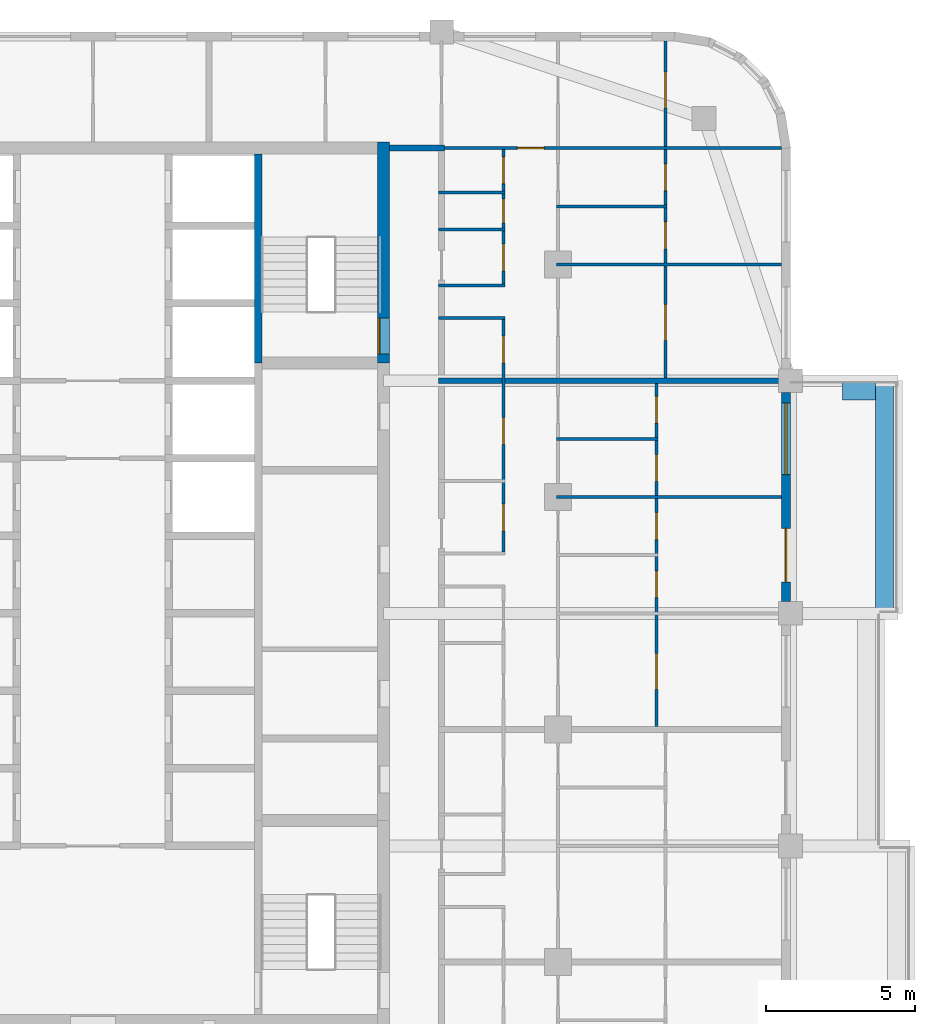
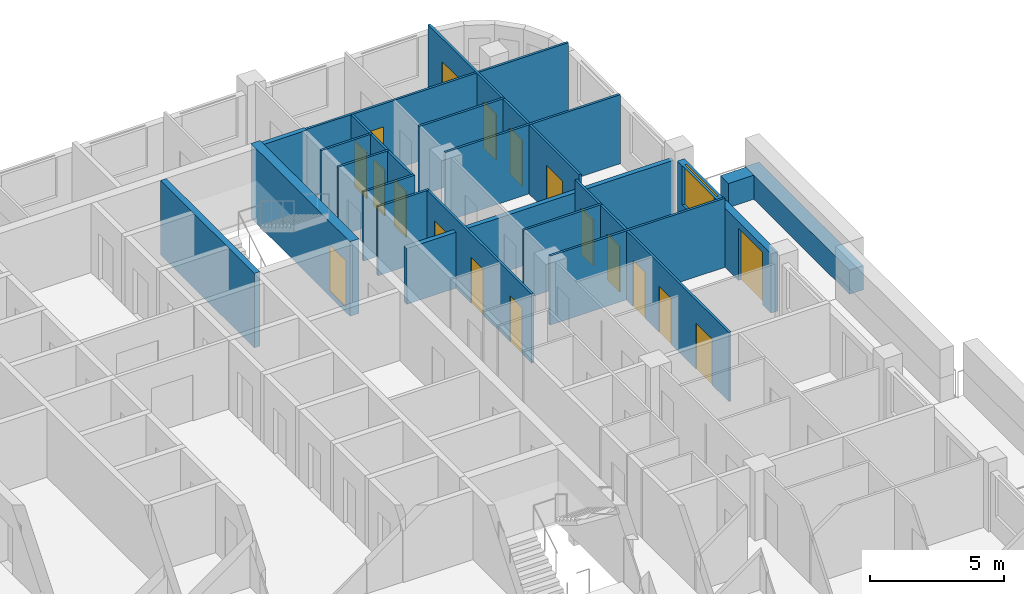
# One storey, part 11 of 16: 20 walls, 18 doors, 1 window, 19 openings.
"""IFC4 building model written with IfcOpenShell, lengths in metres."""

from ifc_helpers import new_model, si_unit, direction, frame, frame_2d, origin, place, context, subcontext, project, spatial, rectangle, extrude, material, layer, layer_set, type_object, element, fill, save


model = new_model("IFC4")

# Units and contexts
model_context = context("Model", 3, precision=1e-05, world=origin(), true_north=direction((0.0, 1.0)))
body_context = subcontext(model_context, "Body", "Model", "MODEL_VIEW")
ifc_project = project(units=[si_unit("LENGTHUNIT", "METRE"), si_unit("AREAUNIT", "SQUARE_METRE"), si_unit("VOLUMEUNIT", "CUBIC_METRE"), si_unit("PLANEANGLEUNIT", "RADIAN"), si_unit("MASSUNIT", "GRAM", prefix="KILO")], contexts=[model_context])

# Site, building, storey
site_placement = place(None, origin())
site = spatial("IfcSite", under=ifc_project, at=site_placement, CompositionType="ELEMENT")
building_placement = place(site_placement, origin())
building = spatial("IfcBuilding", under=site, at=building_placement, Name="Ludao Terraces", CompositionType="ELEMENT")
storey_placement = place(building_placement, frame((0.0, 0.0, 217.699951171875)))
storey = spatial("IfcBuildingStorey", under=building, at=storey_placement, Name="L59", CompositionType="ELEMENT", Elevation=217.699951171875)

# Wall, opening, door
ifc_material_1 = material(Name="Concrete C50", Category="concrete")
ifc_layer_1 = layer(ifc_material_1, 0.39990234375)
ifc_layer_set_1 = layer_set([ifc_layer_1], Name="Core wall 400 C50")
wall_type_1 = type_object("IfcWallType", Name="Core wall 400 C50", PredefinedType="SOLIDWALL", material=ifc_layer_set_1)
wall_1_placement = place(storey_placement, frame((94.75, 77.300048828125, -0.25), z_axis=(0.0, 0.0, 1.0), x_axis=(0.0, 1.0, 0.0)))
wall_1 = element("IfcWall", 1, at=wall_1_placement, inside=storey, type_object=wall_type_1, Name="Core wall L59 outer-E-S2", PredefinedType="SOLIDWALL", context=body_context, shape_type="SweptSolid", body=[
    extrude(rectangle(XDim=7.39990234375, YDim=0.39990234375, at=frame_2d((3.699951171875, 0.0))), origin(), (0.0, 0.0, 1.0), 3.400146484375),
])
opening_1_placement = place(wall_1_placement, frame((0.300048828125, 0.0, 0.25)))
opening_1 = element("IfcOpeningElement", 2, at=opening_1_placement, cuts=wall_1, Name="Opening R21-111", PredefinedType="OPENING", context=body_context, shape_type="SweptSolid", body=[
    extrude(rectangle(XDim=1.199951171875, YDim=2.10009765625, at=frame_2d((0.60009765625, 1.050048828125))), frame((0.0, 0.2099609375, 0.0), z_axis=(0.0, -1.0, 0.0), x_axis=(1.0, 0.0, 0.0)), (0.0, 0.0, 1.0), 0.419921875),
])
ifc_material_2 = material(Name="Steel Q235", Category="steel")
door_type_1 = type_object("IfcDoorType", Name="INT Stair door 1200", OperationType="DOUBLE_DOOR_SINGLE_SWING", PredefinedType="DOOR", material=ifc_material_2)
door_1_placement = place(opening_1_placement, origin())
door_1 = element("IfcDoor", 3, at=door_1_placement, inside=storey, type_object=door_type_1, Name="DOOR 111", OperationType="DOUBLE_DOOR_SINGLE_SWING", OverallHeight=2.10009765625, OverallWidth=1.199951171875, PredefinedType="DOOR", context=body_context, shape_type="SweptSolid", body=[
    extrude(rectangle(XDim=1.199951171875, YDim=2.10009765625, at=frame_2d((0.60009765625, 1.050048828125))), frame((0.0, 0.18505859375, 0.0), z_axis=(0.0, -1.0, 0.0), x_axis=(1.0, 0.0, 0.0)), (0.0, 0.0, 1.0), 0.050048828125),
])
fill(opening_1, door_1)

# Walls
ifc_material_3 = material(Name="Concrete C40", Category="concrete")
ifc_layer_2 = layer(ifc_material_3, 0.60009765625)
ifc_layer_set_2 = layer_set([ifc_layer_2], Name="ENV Planter trough 600")
wall_type_2 = type_object("IfcWallType", Name="ENV Planter trough 600", PredefinedType="USERDEFINED", material=ifc_layer_set_2)
wall_2_placement = place(storey_placement, frame((111.550048828125, 68.89990234375, 0.0), z_axis=(0.0, 0.0, 1.0), x_axis=(0.0, 1.0, 0.0)))
element("IfcWall", 4, at=wall_2_placement, inside=storey, type_object=wall_type_2, Name="PL-L59-E3", ObjectType="PLANTER", PredefinedType="USERDEFINED", context=body_context, shape_type="SweptSolid", body=[
    extrude(rectangle(XDim=7.800048828125, YDim=0.60009765625, at=frame_2d((3.89990234375, 0.0))), origin(), (0.0, 0.0, 1.0), 1.10009765625),
])
wall_3_placement = place(storey_placement, frame((111.25, 76.35009765625, 0.0), z_axis=(0.0, 0.0, 1.0), x_axis=(-1.0, 0.0, 0.0)))
element("IfcWall", 5, at=wall_3_placement, inside=storey, type_object=wall_type_2, Name="PL-L59-E3-SB", ObjectType="PLANTER", PredefinedType="USERDEFINED", context=body_context, shape_type="SweptSolid", body=[
    extrude(rectangle(XDim=1.10009765625, YDim=0.60009765625, at=frame_2d((0.550048828125, 0.0))), origin(), (0.0, 0.0, 1.0), 1.10009765625),
])

# Wall, openings, door, window
ifc_material_4 = material(Name="Granite cladding", Category="masonry")
ifc_layer_3 = layer(ifc_material_4, 0.0400390625, Category="stone")
ifc_material_5 = material(Name="Mineral wool")
ifc_layer_4 = layer(ifc_material_5, 0.06005859375)
ifc_layer_5 = layer(ifc_material_3, 0.199951171875, Category="concrete")
ifc_layer_set_3 = layer_set([ifc_layer_3, ifc_layer_4, ifc_layer_5], Name="ENV Stone-clad wall 300")
wall_type_3 = type_object("IfcWallType", Name="ENV Stone-clad wall 300", PredefinedType="SOLIDWALL", material=ifc_layer_set_3)
wall_4_placement = place(storey_placement, frame((108.25, 69.300048828125, 0.0), z_axis=(0.0, 0.0, 1.0), x_axis=(0.0, 1.0, 0.0)))
wall_4 = element("IfcWall", 6, at=wall_4_placement, inside=storey, type_object=wall_type_3, Name="EW-L59-E4", PredefinedType="SOLIDWALL", context=body_context, shape_type="SweptSolid", body=[
    extrude(rectangle(XDim=7.0, YDim=0.300048828125, at=frame_2d((3.5, 0.0))), origin(), (0.0, 0.0, 1.0), 2.699951171875),
])
opening_2_placement = place(wall_4_placement, frame((0.64990234375, 0.0, 0.0)))
opening_2 = element("IfcOpeningElement", 7, at=opening_2_placement, cuts=wall_4, Name="Opening BD", PredefinedType="OPENING", context=body_context, shape_type="SweptSolid", body=[
    extrude(rectangle(XDim=1.800048828125, YDim=2.39990234375, at=frame_2d((0.89990234375, 1.199951171875))), frame((0.0, 0.16015625, 0.0), z_axis=(0.0, -1.0, 0.0), x_axis=(1.0, 0.0, 0.0)), (0.0, 0.0, 1.0), 0.320068359375),
])
opening_3_placement = place(wall_4_placement, frame((4.25, 0.0, 0.89990234375)))
opening_3 = element("IfcOpeningElement", 8, at=opening_3_placement, cuts=wall_4, Name="Opening W1", PredefinedType="OPENING", context=body_context, shape_type="SweptSolid", body=[
    extrude(rectangle(XDim=2.39990234375, YDim=1.800048828125, at=frame_2d((1.199951171875, 0.89990234375))), frame((0.0, 0.16015625, 0.0), z_axis=(0.0, -1.0, 0.0), x_axis=(1.0, 0.0, 0.0)), (0.0, 0.0, 1.0), 0.320068359375),
])
ifc_material_6 = material(Name="Aluminium glazed door", Category="aluminium")
ifc_layer_6 = layer(ifc_material_6, 0.06005859375)
ifc_layer_set_4 = layer_set([ifc_layer_6], Name="ENV Balcony door BD 1800x2400")
door_type_2 = type_object("IfcDoorType", Name="ENV Balcony door BD 1800x2400", OperationType="DOUBLE_DOOR_SINGLE_SWING", PredefinedType="DOOR", material=ifc_layer_set_4)
door_2_placement = place(opening_2_placement, origin())
door_2 = element("IfcDoor", 9, at=door_2_placement, inside=storey, type_object=door_type_2, Name="BD-L59-E4-1", OperationType="DOUBLE_DOOR_SINGLE_SWING", OverallHeight=2.39990234375, OverallWidth=1.800048828125, PredefinedType="DOOR", context=body_context, shape_type="SweptSolid", body=[
    extrude(rectangle(XDim=1.800048828125, YDim=2.39990234375, at=frame_2d((0.89990234375, 1.199951171875))), frame((0.0, 0.02490234375, 0.0), z_axis=(0.0, -1.0, 0.0), x_axis=(1.0, 0.0, 0.0)), (0.0, 0.0, 1.0), 0.050048828125),
])
fill(opening_2, door_2)
ifc_material_7 = material(Name="Clear glass in aluminium frame", Category="aluminium")
ifc_layer_7 = layer(ifc_material_7, 0.06005859375)
ifc_layer_set_5 = layer_set([ifc_layer_7], Name="ENV Window W1 2400x1800")
window_type = type_object("IfcWindowType", Name="ENV Window W1 2400x1800", PartitioningType="DOUBLE_PANEL_VERTICAL", PredefinedType="WINDOW", material=ifc_layer_set_5)
window_placement = place(opening_3_placement, origin())
window = element("IfcWindow", 10, at=window_placement, inside=storey, type_object=window_type, Name="W-L59-E4-2", OverallHeight=1.800048828125, OverallWidth=2.39990234375, PartitioningType="DOUBLE_PANEL_VERTICAL", PredefinedType="WINDOW", context=body_context, shape_type="SweptSolid", body=[
    extrude(rectangle(XDim=2.39990234375, YDim=1.800048828125, at=frame_2d((1.199951171875, 0.89990234375))), frame((0.0, 0.030029296875, 0.0), z_axis=(0.0, -1.0, 0.0), x_axis=(1.0, 0.0, 0.0)), (0.0, 0.0, 1.0), 0.06005859375),
])
fill(opening_3, window)

# Walls
ifc_material_8 = material(Name="Autoclaved aerated concrete block B06 A3.5", Category="concrete")
ifc_layer_8 = layer(ifc_material_8, 0.199951171875)
ifc_layer_set_6 = layer_set([ifc_layer_8], Name="INT Entrance wall 200")
wall_type_4 = type_object("IfcWallType", Name="INT Entrance wall 200", PredefinedType="PARTITIONING", material=ifc_layer_set_6)
wall_5_placement = place(storey_placement, frame((94.9501953125, 84.5, 0.0), z_axis=(0.0, 0.0, 1.0), x_axis=(1.0, 0.0, 0.0)))
element("IfcWall", 11, at=wall_5_placement, inside=storey, type_object=wall_type_4, Name="PW-L59-PW068", PredefinedType="PARTITIONING", context=body_context, shape_type="SweptSolid", body=[
    extrude(rectangle(XDim=1.849853515625, YDim=0.199951171875, at=frame_2d((0.9248046875, 0.0))), origin(), (0.0, 0.0, 1.0), 3.150146484375),
])
ifc_material_9 = material(Name="Gypsum plasterboard", Category="gypsum")
ifc_layer_9 = layer(ifc_material_9, 0.012451171875, Category="gypsum")
ifc_layer_10 = layer(ifc_material_5, 0.06005859375, Name="insulation")
ifc_layer_11 = layer(ifc_material_2, 0.014892578125, Name="stud")
ifc_layer_12 = layer(ifc_material_9, 0.012451171875, Category="gypsum")
ifc_layer_set_7 = layer_set([ifc_layer_9, ifc_layer_10, ifc_layer_11, ifc_layer_12], Name="INT Partition 100")
wall_type_5 = type_object("IfcWallType", Name="INT Partition 100", PredefinedType="PARTITIONING", material=ifc_layer_set_7)
wall_6_placement = place(storey_placement, frame((100.550048828125, 72.800048828125, 0.0), z_axis=(0.0, 0.0, 1.0), x_axis=(1.0, 0.0, 0.0)))
element("IfcWall", 12, at=wall_6_placement, inside=storey, type_object=wall_type_5, Name="PW-L59-PW046", PredefinedType="PARTITIONING", context=body_context, shape_type="SweptSolid", body=[
    extrude(rectangle(XDim=7.550048828125, YDim=0.10009765625, at=frame_2d((3.77490234375, 0.0))), origin(), (0.0, 0.0, 1.0), 3.150146484375),
])
wall_7_placement = place(storey_placement, frame((100.550048828125, 74.75, 0.0), z_axis=(0.0, 0.0, 1.0), x_axis=(1.0, 0.0, 0.0)))
element("IfcWall", 13, at=wall_7_placement, inside=storey, type_object=wall_type_5, Name="PW-L59-PW050", PredefinedType="PARTITIONING", context=body_context, shape_type="SweptSolid", body=[
    extrude(rectangle(XDim=3.400146484375, YDim=0.10009765625, at=frame_2d((1.7001953125, 0.0))), origin(), (0.0, 0.0, 1.0), 3.150146484375),
])
for number, where, z_axis, x_axis, name in (
    (14, (96.60009765625, 78.800048828125, 0.0), (0.0, 0.0, 1.0), (1.0, 0.0, 0.0), "PW-L59-PW057"),
    (15, (96.60009765625, 79.89990234375, 0.0), (0.0, 0.0, 1.0), (1.0, 0.0, 0.0), "PW-L59-PW058"),
):
    element("IfcWall", number, at=place(storey_placement, frame(where, z_axis=z_axis, x_axis=x_axis)), inside=storey, type_object=wall_type_5, Name=name, PredefinedType="PARTITIONING", context=body_context, shape_type="SweptSolid", body=[
        extrude(rectangle(XDim=2.219970703125, YDim=0.10009765625, at=frame_2d((1.10986328125, 0.0))), origin(), (0.0, 0.0, 1.0), 3.150146484375),
    ])
wall_8_placement = place(storey_placement, frame((100.550048828125, 80.60009765625, 0.0), z_axis=(0.0, 0.0, 1.0), x_axis=(1.0, 0.0, 0.0)))
element("IfcWall", 16, at=wall_8_placement, inside=storey, type_object=wall_type_5, Name="PW-L59-PW060", PredefinedType="PARTITIONING", context=body_context, shape_type="SweptSolid", body=[
    extrude(rectangle(XDim=7.550048828125, YDim=0.10009765625, at=frame_2d((3.77490234375, 0.0))), origin(), (0.0, 0.0, 1.0), 3.150146484375),
])
wall_9_placement = place(storey_placement, frame((96.60009765625, 81.77001953125, 0.0), z_axis=(0.0, 0.0, 1.0), x_axis=(1.0, 0.0, 0.0)))
element("IfcWall", 17, at=wall_9_placement, inside=storey, type_object=wall_type_5, Name="PW-L59-PW061", PredefinedType="PARTITIONING", context=body_context, shape_type="SweptSolid", body=[
    extrude(rectangle(XDim=2.219970703125, YDim=0.10009765625, at=frame_2d((1.10986328125, 0.0))), origin(), (0.0, 0.0, 1.0), 3.150146484375),
])
wall_10_placement = place(storey_placement, frame((100.550048828125, 82.550048828125, 0.0), z_axis=(0.0, 0.0, 1.0), x_axis=(1.0, 0.0, 0.0)))
element("IfcWall", 18, at=wall_10_placement, inside=storey, type_object=wall_type_5, Name="PW-L59-PW064", PredefinedType="PARTITIONING", context=body_context, shape_type="SweptSolid", body=[
    extrude(rectangle(XDim=3.699951171875, YDim=0.10009765625, at=frame_2d((1.85009765625, 0.0))), origin(), (0.0, 0.0, 1.0), 3.150146484375),
])
wall_11_placement = place(storey_placement, frame((96.60009765625, 83.02001953125, 0.0), z_axis=(0.0, 0.0, 1.0), x_axis=(1.0, 0.0, 0.0)))
element("IfcWall", 19, at=wall_11_placement, inside=storey, type_object=wall_type_5, Name="PW-L59-PW065", PredefinedType="PARTITIONING", context=body_context, shape_type="SweptSolid", body=[
    extrude(rectangle(XDim=2.219970703125, YDim=0.10009765625, at=frame_2d((1.10986328125, 0.0))), origin(), (0.0, 0.0, 1.0), 3.150146484375),
])

# Wall, opening, door
wall_12_placement = place(storey_placement, frame((96.60009765625, 84.5, 0.0), z_axis=(0.0, 0.0, 1.0), x_axis=(1.0, 0.0, 0.0)))
wall_12 = element("IfcWall", 20, at=wall_12_placement, inside=storey, type_object=wall_type_5, Name="PW-L59-PW069", PredefinedType="PARTITIONING", context=body_context, shape_type="SweptSolid", body=[
    extrude(rectangle(XDim=11.5, YDim=0.10009765625, at=frame_2d((5.75, 0.0))), origin(), (0.0, 0.0, 1.0), 3.150146484375),
])
opening_4_placement = place(wall_12_placement, frame((2.635009765625, 0.0, 0.0)))
opening_4 = element("IfcOpeningElement", 21, at=opening_4_placement, cuts=wall_12, Name="Opening R21-134", PredefinedType="OPENING", context=body_context, shape_type="SweptSolid", body=[
    extrude(rectangle(XDim=0.89990234375, YDim=2.10009765625, at=frame_2d((0.449951171875, 1.050048828125))), frame((0.0, 0.06005859375, 0.0), z_axis=(0.0, -1.0, 0.0), x_axis=(1.0, 0.0, 0.0)), (0.0, 0.0, 1.0), 0.1201171875),
])
ifc_material_10 = material(Name="Timber door leaf", Category="wood")
door_type_3 = type_object("IfcDoorType", Name="INT Room door 900", OperationType="SINGLE_SWING_LEFT", PredefinedType="DOOR", material=ifc_material_10)
door_3_placement = place(opening_4_placement, origin())
door_3 = element("IfcDoor", 22, at=door_3_placement, inside=storey, type_object=door_type_3, Name="DOOR 134", OperationType="SINGLE_SWING_RIGHT", OverallHeight=2.10009765625, OverallWidth=0.89990234375, PredefinedType="DOOR", context=body_context, shape_type="SweptSolid", body=[
    extrude(rectangle(XDim=0.89990234375, YDim=2.10009765625, at=frame_2d((0.449951171875, 1.050048828125))), frame((0.0, 0.02490234375, 0.0), z_axis=(0.0, -1.0, 0.0), x_axis=(1.0, 0.0, 0.0)), (0.0, 0.0, 1.0), 0.050048828125),
])
fill(opening_4, door_3)

# Wall, openings, doors
wall_13_placement = place(storey_placement, frame((98.77001953125, 70.9501953125, 0.0), z_axis=(0.0, 0.0, 1.0), x_axis=(0.0, 1.0, 0.0)))
wall_13 = element("IfcWall", 23, at=wall_13_placement, inside=storey, type_object=wall_type_5, Name="PW-L59-PW095", PredefinedType="PARTITIONING", context=body_context, shape_type="SweptSolid", body=[
    extrude(rectangle(XDim=7.7998046875, YDim=0.10009765625, at=frame_2d((3.89990234375, 0.0))), origin(), (0.0, 0.0, 1.0), 3.150146484375),
])
opening_5_placement = place(wall_13_placement, frame((0.71484375, 0.0, 0.0)))
opening_5 = element("IfcOpeningElement", 24, at=opening_5_placement, cuts=wall_13, Name="Opening R21-089", PredefinedType="OPENING", context=body_context, shape_type="SweptSolid", body=[
    extrude(rectangle(XDim=0.89990234375, YDim=2.10009765625, at=frame_2d((0.449951171875, 1.050048828125))), frame((0.0, 0.06005859375, 0.0), z_axis=(0.0, -1.0, 0.0), x_axis=(1.0, 0.0, 0.0)), (0.0, 0.0, 1.0), 0.1201171875),
])
opening_6_placement = place(wall_13_placement, frame((3.614990234375, 0.0, 0.0)))
opening_6 = element("IfcOpeningElement", 25, at=opening_6_placement, cuts=wall_13, Name="Opening R21-096", PredefinedType="OPENING", context=body_context, shape_type="SweptSolid", body=[
    extrude(rectangle(XDim=0.89990234375, YDim=2.10009765625, at=frame_2d((0.449951171875, 1.050048828125))), frame((0.0, 0.06005859375, 0.0), z_axis=(0.0, -1.0, 0.0), x_axis=(1.0, 0.0, 0.0)), (0.0, 0.0, 1.0), 0.1201171875),
])
opening_7_placement = place(wall_13_placement, frame((6.349853515625, 0.0, 0.0)))
opening_7 = element("IfcOpeningElement", 26, at=opening_7_placement, cuts=wall_13, Name="Opening R21-107", PredefinedType="OPENING", context=body_context, shape_type="SweptSolid", body=[
    extrude(rectangle(XDim=0.89990234375, YDim=2.10009765625, at=frame_2d((0.449951171875, 1.050048828125))), frame((0.0, 0.06005859375, 0.0), z_axis=(0.0, -1.0, 0.0), x_axis=(1.0, 0.0, 0.0)), (0.0, 0.0, 1.0), 0.1201171875),
])
door_type_4 = type_object("IfcDoorType", Name="INT Bathroom door 900", OperationType="SINGLE_SWING_LEFT", PredefinedType="DOOR", material=ifc_material_10)
door_4_placement = place(opening_5_placement, origin())
door_4 = element("IfcDoor", 27, at=door_4_placement, inside=storey, type_object=door_type_4, Name="DOOR 089", OperationType="SINGLE_SWING_LEFT", OverallHeight=2.10009765625, OverallWidth=0.89990234375, PredefinedType="DOOR", context=body_context, shape_type="SweptSolid", body=[
    extrude(rectangle(XDim=0.89990234375, YDim=2.10009765625, at=frame_2d((0.449951171875, 1.050048828125))), frame((0.0, 0.02490234375, 0.0), z_axis=(0.0, -1.0, 0.0), x_axis=(1.0, 0.0, 0.0)), (0.0, 0.0, 1.0), 0.050048828125),
])
fill(opening_5, door_4)
door_5_placement = place(opening_7_placement, origin())
door_5 = element("IfcDoor", 28, at=door_5_placement, inside=storey, type_object=door_type_4, Name="DOOR 107", OperationType="SINGLE_SWING_LEFT", OverallHeight=2.10009765625, OverallWidth=0.89990234375, PredefinedType="DOOR", context=body_context, shape_type="SweptSolid", body=[
    extrude(rectangle(XDim=0.89990234375, YDim=2.10009765625, at=frame_2d((0.449951171875, 1.050048828125))), frame((0.0, 0.02490234375, 0.0), z_axis=(0.0, -1.0, 0.0), x_axis=(1.0, 0.0, 0.0)), (0.0, 0.0, 1.0), 0.050048828125),
])
fill(opening_7, door_5)
door_6_placement = place(opening_6_placement, origin())
door_6 = element("IfcDoor", 29, at=door_6_placement, inside=storey, type_object=door_type_3, Name="DOOR 096", OperationType="SINGLE_SWING_RIGHT", OverallHeight=2.10009765625, OverallWidth=0.89990234375, PredefinedType="DOOR", context=body_context, shape_type="SweptSolid", body=[
    extrude(rectangle(XDim=0.89990234375, YDim=2.10009765625, at=frame_2d((0.449951171875, 1.050048828125))), frame((0.0, 0.02490234375, 0.0), z_axis=(0.0, -1.0, 0.0), x_axis=(1.0, 0.0, 0.0)), (0.0, 0.0, 1.0), 0.050048828125),
])
fill(opening_6, door_6)

wall_14_placement = place(storey_placement, frame((98.77001953125, 79.9501953125, 0.0), z_axis=(0.0, 0.0, 1.0), x_axis=(0.0, 1.0, 0.0)))
wall_14 = element("IfcWall", 30, at=wall_14_placement, inside=storey, type_object=wall_type_5, Name="PW-L59-PW096", PredefinedType="PARTITIONING", context=body_context, shape_type="SweptSolid", body=[
    extrude(rectangle(XDim=4.5, YDim=0.10009765625, at=frame_2d((2.25, 0.0))), origin(), (0.0, 0.0, 1.0), 3.150146484375),
])
opening_8_placement = place(wall_14_placement, frame((0.434814453125, 0.0, 0.0)))
opening_8 = element("IfcOpeningElement", 31, at=opening_8_placement, cuts=wall_14, Name="Opening R21-121", PredefinedType="OPENING", context=body_context, shape_type="SweptSolid", body=[
    extrude(rectangle(XDim=0.89990234375, YDim=2.10009765625, at=frame_2d((0.449951171875, 1.050048828125))), frame((0.0, 0.06005859375, 0.0), z_axis=(0.0, -1.0, 0.0), x_axis=(1.0, 0.0, 0.0)), (0.0, 0.0, 1.0), 0.1201171875),
])
opening_9_placement = place(wall_14_placement, frame((2.044921875, 0.0, 0.0)))
opening_9 = element("IfcOpeningElement", 32, at=opening_9_placement, cuts=wall_14, Name="Opening R21-124", PredefinedType="OPENING", context=body_context, shape_type="SweptSolid", body=[
    extrude(rectangle(XDim=0.800048828125, YDim=2.10009765625, at=frame_2d((0.39990234375, 1.050048828125))), frame((0.0, 0.06005859375, 0.0), z_axis=(0.0, -1.0, 0.0), x_axis=(1.0, 0.0, 0.0)), (0.0, 0.0, 1.0), 0.1201171875),
])
opening_10_placement = place(wall_14_placement, frame((3.35986328125, 0.0, 0.0)))
opening_10 = element("IfcOpeningElement", 33, at=opening_10_placement, cuts=wall_14, Name="Opening R21-132", PredefinedType="OPENING", context=body_context, shape_type="SweptSolid", body=[
    extrude(rectangle(XDim=0.89990234375, YDim=2.10009765625, at=frame_2d((0.449951171875, 1.050048828125))), frame((0.0, 0.06005859375, 0.0), z_axis=(0.0, -1.0, 0.0), x_axis=(1.0, 0.0, 0.0)), (0.0, 0.0, 1.0), 0.1201171875),
])
door_7_placement = place(opening_10_placement, origin())
door_7 = element("IfcDoor", 34, at=door_7_placement, inside=storey, type_object=door_type_4, Name="DOOR 132", OperationType="SINGLE_SWING_LEFT", OverallHeight=2.10009765625, OverallWidth=0.89990234375, PredefinedType="DOOR", context=body_context, shape_type="SweptSolid", body=[
    extrude(rectangle(XDim=0.89990234375, YDim=2.10009765625, at=frame_2d((0.449951171875, 1.050048828125))), frame((0.0, 0.02490234375, 0.0), z_axis=(0.0, -1.0, 0.0), x_axis=(1.0, 0.0, 0.0)), (0.0, 0.0, 1.0), 0.050048828125),
])
fill(opening_10, door_7)
door_8_placement = place(opening_8_placement, origin())
door_8 = element("IfcDoor", 35, at=door_8_placement, inside=storey, type_object=door_type_3, Name="DOOR 121", OperationType="SINGLE_SWING_LEFT", OverallHeight=2.10009765625, OverallWidth=0.89990234375, PredefinedType="DOOR", context=body_context, shape_type="SweptSolid", body=[
    extrude(rectangle(XDim=0.89990234375, YDim=2.10009765625, at=frame_2d((0.449951171875, 1.050048828125))), frame((0.0, 0.02490234375, 0.0), z_axis=(0.0, -1.0, 0.0), x_axis=(1.0, 0.0, 0.0)), (0.0, 0.0, 1.0), 0.050048828125),
])
fill(opening_8, door_8)
door_type_5 = type_object("IfcDoorType", Name="INT Store door 800", OperationType="SINGLE_SWING_LEFT", PredefinedType="DOOR", material=ifc_material_10)
door_9_placement = place(opening_9_placement, origin())
door_9 = element("IfcDoor", 36, at=door_9_placement, inside=storey, type_object=door_type_5, Name="DOOR 124", OperationType="SINGLE_SWING_LEFT", OverallHeight=2.10009765625, OverallWidth=0.800048828125, PredefinedType="DOOR", context=body_context, shape_type="SweptSolid", body=[
    extrude(rectangle(XDim=0.800048828125, YDim=2.10009765625, at=frame_2d((0.39990234375, 1.050048828125))), frame((0.0, 0.02490234375, 0.0), z_axis=(0.0, -1.0, 0.0), x_axis=(1.0, 0.0, 0.0)), (0.0, 0.0, 1.0), 0.050048828125),
])
fill(opening_9, door_9)

wall_15_placement = place(storey_placement, frame((103.89990234375, 65.10009765625, 0.0), z_axis=(0.0, 0.0, 1.0), x_axis=(0.0, 1.0, 0.0)))
wall_15 = element("IfcWall", 37, at=wall_15_placement, inside=storey, type_object=wall_type_5, Name="PW-L59-PW098", PredefinedType="PARTITIONING", context=body_context, shape_type="SweptSolid", body=[
    extrude(rectangle(XDim=11.5, YDim=0.10009765625, at=frame_2d((5.75, 0.0))), origin(), (0.0, 0.0, 1.0), 3.150146484375),
])
opening_11_placement = place(wall_15_placement, frame((1.25, 0.0, 0.0)))
opening_11 = element("IfcOpeningElement", 38, at=opening_11_placement, cuts=wall_15, Name="Opening R21-071", PredefinedType="OPENING", context=body_context, shape_type="SweptSolid", body=[
    extrude(rectangle(XDim=1.199951171875, YDim=2.10009765625, at=frame_2d((0.60009765625, 1.050048828125))), frame((0.0, 0.06005859375, 0.0), z_axis=(0.0, -1.0, 0.0), x_axis=(1.0, 0.0, 0.0)), (0.0, 0.0, 1.0), 0.1201171875),
])
opening_12_placement = place(wall_15_placement, frame((4.324951171875, 0.0, 0.0)))
opening_12 = element("IfcOpeningElement", 39, at=opening_12_placement, cuts=wall_15, Name="Opening R21-079", PredefinedType="OPENING", context=body_context, shape_type="SweptSolid", body=[
    extrude(rectangle(XDim=0.89990234375, YDim=2.10009765625, at=frame_2d((0.449951171875, 1.050048828125))), frame((0.0, 0.06005859375, 0.0), z_axis=(0.0, -1.0, 0.0), x_axis=(1.0, 0.0, 0.0)), (0.0, 0.0, 1.0), 0.1201171875),
])
opening_13_placement = place(wall_15_placement, frame((6.27490234375, 0.0, 0.0)))
opening_13 = element("IfcOpeningElement", 40, at=opening_13_placement, cuts=wall_15, Name="Opening R21-088", PredefinedType="OPENING", context=body_context, shape_type="SweptSolid", body=[
    extrude(rectangle(XDim=0.89990234375, YDim=2.10009765625, at=frame_2d((0.449951171875, 1.050048828125))), frame((0.0, 0.06005859375, 0.0), z_axis=(0.0, -1.0, 0.0), x_axis=(1.0, 0.0, 0.0)), (0.0, 0.0, 1.0), 0.1201171875),
])
opening_14_placement = place(wall_15_placement, frame((8.22509765625, 0.0, 0.0)))
opening_14 = element("IfcOpeningElement", 41, at=opening_14_placement, cuts=wall_15, Name="Opening R21-093", PredefinedType="OPENING", context=body_context, shape_type="SweptSolid", body=[
    extrude(rectangle(XDim=0.89990234375, YDim=2.10009765625, at=frame_2d((0.449951171875, 1.050048828125))), frame((0.0, 0.06005859375, 0.0), z_axis=(0.0, -1.0, 0.0), x_axis=(1.0, 0.0, 0.0)), (0.0, 0.0, 1.0), 0.1201171875),
])
opening_15_placement = place(wall_15_placement, frame((10.175048828125, 0.0, 0.0)))
opening_15 = element("IfcOpeningElement", 42, at=opening_15_placement, cuts=wall_15, Name="Opening R21-104", PredefinedType="OPENING", context=body_context, shape_type="SweptSolid", body=[
    extrude(rectangle(XDim=0.89990234375, YDim=2.10009765625, at=frame_2d((0.449951171875, 1.050048828125))), frame((0.0, 0.06005859375, 0.0), z_axis=(0.0, -1.0, 0.0), x_axis=(1.0, 0.0, 0.0)), (0.0, 0.0, 1.0), 0.1201171875),
])
door_10_placement = place(opening_12_placement, origin())
door_10 = element("IfcDoor", 43, at=door_10_placement, inside=storey, type_object=door_type_4, Name="DOOR 079", OperationType="SINGLE_SWING_LEFT", OverallHeight=2.10009765625, OverallWidth=0.89990234375, PredefinedType="DOOR", context=body_context, shape_type="SweptSolid", body=[
    extrude(rectangle(XDim=0.89990234375, YDim=2.10009765625, at=frame_2d((0.449951171875, 1.050048828125))), frame((0.0, 0.02490234375, 0.0), z_axis=(0.0, -1.0, 0.0), x_axis=(1.0, 0.0, 0.0)), (0.0, 0.0, 1.0), 0.050048828125),
])
fill(opening_12, door_10)
door_11_placement = place(opening_14_placement, origin())
door_11 = element("IfcDoor", 44, at=door_11_placement, inside=storey, type_object=door_type_4, Name="DOOR 093", OperationType="SINGLE_SWING_LEFT", OverallHeight=2.10009765625, OverallWidth=0.89990234375, PredefinedType="DOOR", context=body_context, shape_type="SweptSolid", body=[
    extrude(rectangle(XDim=0.89990234375, YDim=2.10009765625, at=frame_2d((0.449951171875, 1.050048828125))), frame((0.0, 0.02490234375, 0.0), z_axis=(0.0, -1.0, 0.0), x_axis=(1.0, 0.0, 0.0)), (0.0, 0.0, 1.0), 0.050048828125),
])
fill(opening_14, door_11)
door_type_6 = type_object("IfcDoorType", Name="INT Double door 1200", OperationType="DOUBLE_DOOR_SINGLE_SWING", PredefinedType="DOOR", material=ifc_material_10)
door_12_placement = place(opening_11_placement, origin())
door_12 = element("IfcDoor", 45, at=door_12_placement, inside=storey, type_object=door_type_6, Name="DOOR 071", OperationType="DOUBLE_DOOR_SINGLE_SWING", OverallHeight=2.10009765625, OverallWidth=1.199951171875, PredefinedType="DOOR", context=body_context, shape_type="SweptSolid", body=[
    extrude(rectangle(XDim=1.199951171875, YDim=2.10009765625, at=frame_2d((0.60009765625, 1.050048828125))), frame((0.0, 0.02490234375, 0.0), z_axis=(0.0, -1.0, 0.0), x_axis=(1.0, 0.0, 0.0)), (0.0, 0.0, 1.0), 0.050048828125),
])
fill(opening_11, door_12)
door_13_placement = place(opening_13_placement, origin())
door_13 = element("IfcDoor", 46, at=door_13_placement, inside=storey, type_object=door_type_3, Name="DOOR 088", OperationType="SINGLE_SWING_RIGHT", OverallHeight=2.10009765625, OverallWidth=0.89990234375, PredefinedType="DOOR", context=body_context, shape_type="SweptSolid", body=[
    extrude(rectangle(XDim=0.89990234375, YDim=2.10009765625, at=frame_2d((0.449951171875, 1.050048828125))), frame((0.0, 0.02490234375, 0.0), z_axis=(0.0, -1.0, 0.0), x_axis=(1.0, 0.0, 0.0)), (0.0, 0.0, 1.0), 0.050048828125),
])
fill(opening_13, door_13)
door_14_placement = place(opening_15_placement, origin())
door_14 = element("IfcDoor", 47, at=door_14_placement, inside=storey, type_object=door_type_3, Name="DOOR 104", OperationType="SINGLE_SWING_RIGHT", OverallHeight=2.10009765625, OverallWidth=0.89990234375, PredefinedType="DOOR", context=body_context, shape_type="SweptSolid", body=[
    extrude(rectangle(XDim=0.89990234375, YDim=2.10009765625, at=frame_2d((0.449951171875, 1.050048828125))), frame((0.0, 0.02490234375, 0.0), z_axis=(0.0, -1.0, 0.0), x_axis=(1.0, 0.0, 0.0)), (0.0, 0.0, 1.0), 0.050048828125),
])
fill(opening_15, door_14)

wall_16_placement = place(storey_placement, frame((104.199951171875, 76.800048828125, 0.0), z_axis=(0.0, 0.0, 1.0), x_axis=(0.0, 1.0, 0.0)))
wall_16 = element("IfcWall", 48, at=wall_16_placement, inside=storey, type_object=wall_type_5, Name="PW-L59-PW100", PredefinedType="PARTITIONING", context=body_context, shape_type="SweptSolid", body=[
    extrude(rectangle(XDim=11.300048828125, YDim=0.10009765625, at=frame_2d((5.64990234375, 0.0))), origin(), (0.0, 0.0, 1.0), 3.150146484375),
])
opening_16_placement = place(wall_16_placement, frame((1.25, 0.0, 0.0)))
opening_16 = element("IfcOpeningElement", 49, at=opening_16_placement, cuts=wall_16, Name="Opening R21-115", PredefinedType="OPENING", context=body_context, shape_type="SweptSolid", body=[
    extrude(rectangle(XDim=1.199951171875, YDim=2.10009765625, at=frame_2d((0.60009765625, 1.050048828125))), frame((0.0, 0.06005859375, 0.0), z_axis=(0.0, -1.0, 0.0), x_axis=(1.0, 0.0, 0.0)), (0.0, 0.0, 1.0), 0.1201171875),
])
opening_17_placement = place(wall_16_placement, frame((4.324951171875, 0.0, 0.0)))
opening_17 = element("IfcOpeningElement", 50, at=opening_17_placement, cuts=wall_16, Name="Opening R21-123", PredefinedType="OPENING", context=body_context, shape_type="SweptSolid", body=[
    extrude(rectangle(XDim=0.89990234375, YDim=2.10009765625, at=frame_2d((0.449951171875, 1.050048828125))), frame((0.0, 0.06005859375, 0.0), z_axis=(0.0, -1.0, 0.0), x_axis=(1.0, 0.0, 0.0)), (0.0, 0.0, 1.0), 0.1201171875),
])
opening_18_placement = place(wall_16_placement, frame((6.27490234375, 0.0, 0.0)))
opening_18 = element("IfcOpeningElement", 51, at=opening_18_placement, cuts=wall_16, Name="Opening R21-131", PredefinedType="OPENING", context=body_context, shape_type="SweptSolid", body=[
    extrude(rectangle(XDim=0.89990234375, YDim=2.10009765625, at=frame_2d((0.449951171875, 1.050048828125))), frame((0.0, 0.06005859375, 0.0), z_axis=(0.0, -1.0, 0.0), x_axis=(1.0, 0.0, 0.0)), (0.0, 0.0, 1.0), 0.1201171875),
])
opening_19_placement = place(wall_16_placement, frame((9.050048828125, 0.0, 0.0)))
opening_19 = element("IfcOpeningElement", 52, at=opening_19_placement, cuts=wall_16, Name="Opening R21-144", PredefinedType="OPENING", context=body_context, shape_type="SweptSolid", body=[
    extrude(rectangle(XDim=1.199951171875, YDim=2.10009765625, at=frame_2d((0.60009765625, 1.050048828125))), frame((0.0, 0.06005859375, 0.0), z_axis=(0.0, -1.0, 0.0), x_axis=(1.0, 0.0, 0.0)), (0.0, 0.0, 1.0), 0.1201171875),
])
door_15_placement = place(opening_17_placement, origin())
door_15 = element("IfcDoor", 53, at=door_15_placement, inside=storey, type_object=door_type_4, Name="DOOR 123", OperationType="SINGLE_SWING_LEFT", OverallHeight=2.10009765625, OverallWidth=0.89990234375, PredefinedType="DOOR", context=body_context, shape_type="SweptSolid", body=[
    extrude(rectangle(XDim=0.89990234375, YDim=2.10009765625, at=frame_2d((0.449951171875, 1.050048828125))), frame((0.0, 0.02490234375, 0.0), z_axis=(0.0, -1.0, 0.0), x_axis=(1.0, 0.0, 0.0)), (0.0, 0.0, 1.0), 0.050048828125),
])
fill(opening_17, door_15)
door_16_placement = place(opening_16_placement, origin())
door_16 = element("IfcDoor", 54, at=door_16_placement, inside=storey, type_object=door_type_6, Name="DOOR 115", OperationType="DOUBLE_DOOR_SINGLE_SWING", OverallHeight=2.10009765625, OverallWidth=1.199951171875, PredefinedType="DOOR", context=body_context, shape_type="SweptSolid", body=[
    extrude(rectangle(XDim=1.199951171875, YDim=2.10009765625, at=frame_2d((0.60009765625, 1.050048828125))), frame((0.0, 0.02490234375, 0.0), z_axis=(0.0, -1.0, 0.0), x_axis=(1.0, 0.0, 0.0)), (0.0, 0.0, 1.0), 0.050048828125),
])
fill(opening_16, door_16)
door_17_placement = place(opening_19_placement, origin())
door_17 = element("IfcDoor", 55, at=door_17_placement, inside=storey, type_object=door_type_6, Name="DOOR 144", OperationType="DOUBLE_DOOR_SINGLE_SWING", OverallHeight=2.10009765625, OverallWidth=1.199951171875, PredefinedType="DOOR", context=body_context, shape_type="SweptSolid", body=[
    extrude(rectangle(XDim=1.199951171875, YDim=2.10009765625, at=frame_2d((0.60009765625, 1.050048828125))), frame((0.0, 0.02490234375, 0.0), z_axis=(0.0, -1.0, 0.0), x_axis=(1.0, 0.0, 0.0)), (0.0, 0.0, 1.0), 0.050048828125),
])
fill(opening_19, door_17)
door_18_placement = place(opening_18_placement, origin())
door_18 = element("IfcDoor", 56, at=door_18_placement, inside=storey, type_object=door_type_3, Name="DOOR 131", OperationType="SINGLE_SWING_LEFT", OverallHeight=2.10009765625, OverallWidth=0.89990234375, PredefinedType="DOOR", context=body_context, shape_type="SweptSolid", body=[
    extrude(rectangle(XDim=0.89990234375, YDim=2.10009765625, at=frame_2d((0.449951171875, 1.050048828125))), frame((0.0, 0.02490234375, 0.0), z_axis=(0.0, -1.0, 0.0), x_axis=(1.0, 0.0, 0.0)), (0.0, 0.0, 1.0), 0.050048828125),
])
fill(opening_18, door_18)

# Walls
ifc_layer_13 = layer(ifc_material_8, 0.199951171875)
ifc_layer_set_8 = layer_set([ifc_layer_13], Name="INT Party wall 200")
wall_type_6 = type_object("IfcWallType", Name="INT Party wall 200", PredefinedType="PARTITIONING", material=ifc_layer_set_8)
wall_17_placement = place(storey_placement, frame((96.60009765625, 76.699951171875, 0.0), z_axis=(0.0, 0.0, 1.0), x_axis=(1.0, 0.0, 0.0)))
element("IfcWall", 57, at=wall_17_placement, inside=storey, type_object=wall_type_6, Name="PW-L59-PW054", PredefinedType="PARTITIONING", context=body_context, shape_type="SweptSolid", body=[
    extrude(rectangle(XDim=11.5, YDim=0.199951171875, at=frame_2d((5.75, 0.0))), origin(), (0.0, 0.0, 1.0), 2.550048828125),
])
ifc_layer_14 = layer(ifc_material_1, 0.25)
ifc_layer_set_9 = layer_set([ifc_layer_14], Name="Shaft wall 250 C50")
wall_type_7 = type_object("IfcWallType", Name="Shaft wall 250 C50", PredefinedType="SOLIDWALL", material=ifc_layer_set_9)
wall_18_placement = place(storey_placement, frame((90.550048828125, 77.300048828125, -0.25), z_axis=(0.0, 0.0, 1.0), x_axis=(0.0, 1.0, 0.0)))
element("IfcWall", 58, at=wall_18_placement, inside=storey, type_object=wall_type_7, Name="Core wall L59 back-E-S2", PredefinedType="SOLIDWALL", context=body_context, shape_type="SweptSolid", body=[
    extrude(rectangle(XDim=7.0, YDim=0.25, at=frame_2d((3.5, 0.0))), origin(), (0.0, 0.0, 1.0), 3.400146484375),
])

save(model, "model.ifc")
